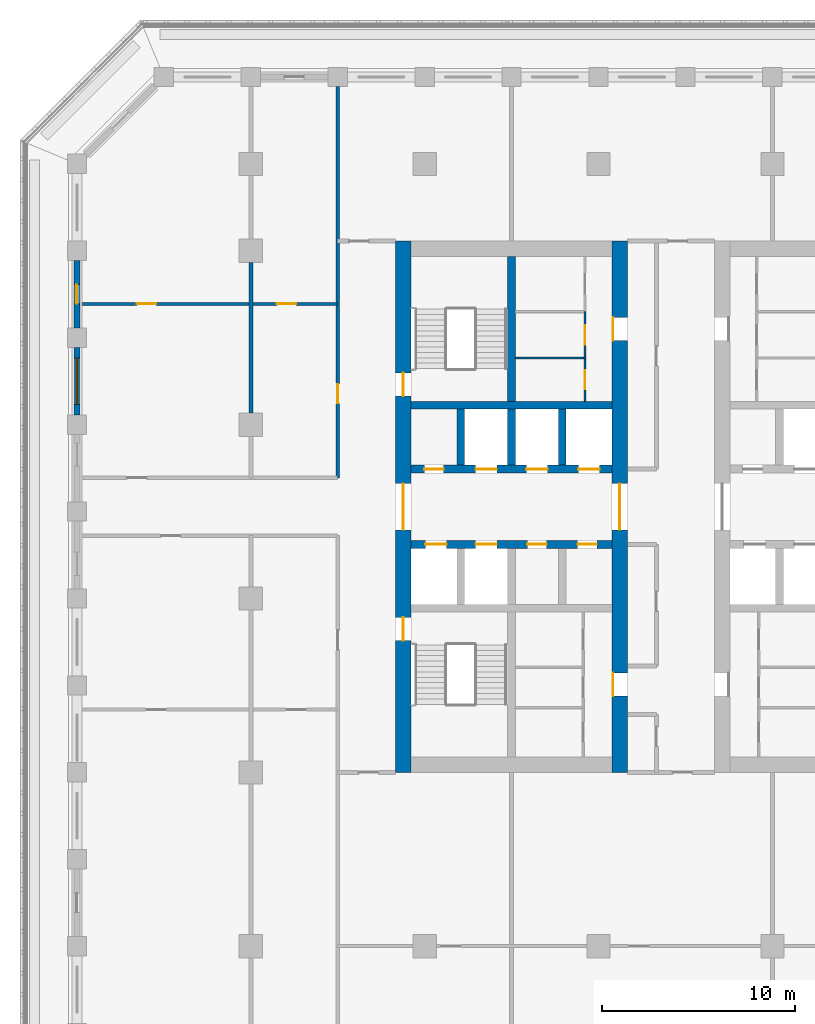
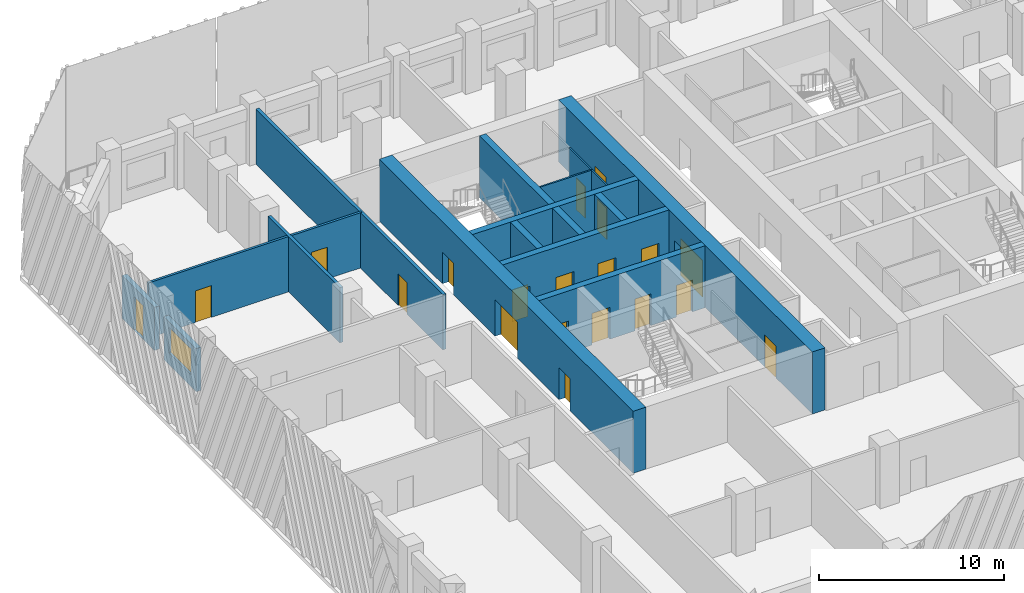
# One storey, part 5 of 16: 20 doors, 17 walls, 1 window, 21 openings.
"""IFC4 building model written with IfcOpenShell, lengths in metres."""

from ifc_helpers import new_model, si_unit, direction, frame, frame_2d, origin, place, context, subcontext, project, spatial, rectangle, extrude, material, layer, layer_set, type_object, element, fill, save


model = new_model("IFC4")

# Units and contexts
model_context = context("Model", 3, precision=1e-05, world=origin(), true_north=direction((0.0, 1.0)))
body_context = subcontext(model_context, "Body", "Model", "MODEL_VIEW")
ifc_project = project(units=[si_unit("LENGTHUNIT", "METRE"), si_unit("AREAUNIT", "SQUARE_METRE"), si_unit("VOLUMEUNIT", "CUBIC_METRE"), si_unit("PLANEANGLEUNIT", "RADIAN"), si_unit("MASSUNIT", "GRAM", prefix="KILO")], contexts=[model_context])

# Site, building, storey
site_placement = place(None, origin())
site = spatial("IfcSite", under=ifc_project, at=site_placement, CompositionType="ELEMENT")
building_placement = place(site_placement, origin())
building = spatial("IfcBuilding", under=site, at=building_placement, Name="Corbel Stack Research Tower", CompositionType="ELEMENT")
storey_placement = place(building_placement, frame((0.0, 0.0, 165.0)))
storey = spatial("IfcBuildingStorey", under=building, at=storey_placement, Name="L37", CompositionType="ELEMENT", Elevation=165.0)

# Wall, openings, doors
ifc_material_1 = material(Name="Concrete C60/75", Category="concrete")
ifc_layer_1 = layer(ifc_material_1, 0.39990234375)
ifc_layer_set_1 = layer_set([ifc_layer_1], Name="Concrete C60/75")
wall_type_1 = type_object("IfcWallType", Name="CW-400-60", PredefinedType="SHEAR", material=ifc_layer_set_1)
wall_1_placement = place(storey_placement, frame((-9.699951171875, 2.800048828125, 0.0), z_axis=(0.0, 0.0, 1.0), x_axis=(1.0, 0.0, 0.0)))
wall_1 = element("IfcWall", 1, at=wall_1_placement, inside=storey, type_object=wall_type_1, Name="West core wall, lobby south L37", PredefinedType="SHEAR", context=body_context, shape_type="SweptSolid", body=[
    extrude(rectangle(XDim=10.39990234375, YDim=0.39990234375, at=frame_2d((5.199951171875, 0.0))), origin(), (0.0, 0.0, 1.0), 4.10009765625),
])
opening_1_placement = place(wall_1_placement, frame((0.737548828125, 0.0, 0.0)))
opening_1 = element("IfcOpeningElement", 2, at=opening_1_placement, cuts=wall_1, Name="Opening LD-FS1", PredefinedType="OPENING", context=body_context, shape_type="SweptSolid", body=[
    extrude(rectangle(XDim=1.10009765625, YDim=2.10009765625, at=frame_2d((0.550048828125, 1.050048828125))), frame((0.0, 0.2099609375, 0.0), z_axis=(0.0, -1.0, 0.0), x_axis=(1.0, 0.0, 0.0)), (0.0, 0.0, 1.0), 0.419921875),
])
opening_2_placement = place(wall_1_placement, frame((3.33740234375, 0.0, 0.0)))
opening_2 = element("IfcOpeningElement", 3, at=opening_2_placement, cuts=wall_1, Name="Opening LD-GL1", PredefinedType="OPENING", context=body_context, shape_type="SweptSolid", body=[
    extrude(rectangle(XDim=1.10009765625, YDim=2.10009765625, at=frame_2d((0.550048828125, 1.050048828125))), frame((0.0, 0.2099609375, 0.0), z_axis=(0.0, -1.0, 0.0), x_axis=(1.0, 0.0, 0.0)), (0.0, 0.0, 1.0), 0.419921875),
])
opening_3_placement = place(wall_1_placement, frame((6.012451171875, 0.0, 0.0)))
opening_3 = element("IfcOpeningElement", 4, at=opening_3_placement, cuts=wall_1, Name="Opening CR-W12-S3", PredefinedType="OPENING", context=body_context, shape_type="SweptSolid", body=[
    extrude(rectangle(XDim=1.0, YDim=2.10009765625, at=frame_2d((0.5, 1.050048828125))), frame((0.0, 0.2099609375, 0.0), z_axis=(0.0, -1.0, 0.0), x_axis=(1.0, 0.0, 0.0)), (0.0, 0.0, 1.0), 0.419921875),
])
opening_4_placement = place(wall_1_placement, frame((8.612548828125, 0.0, 0.0)))
opening_4 = element("IfcOpeningElement", 5, at=opening_4_placement, cuts=wall_1, Name="Opening CR-W12-S4", PredefinedType="OPENING", context=body_context, shape_type="SweptSolid", body=[
    extrude(rectangle(XDim=1.0, YDim=2.10009765625, at=frame_2d((0.5, 1.050048828125))), frame((0.0, 0.2099609375, 0.0), z_axis=(0.0, -1.0, 0.0), x_axis=(1.0, 0.0, 0.0)), (0.0, 0.0, 1.0), 0.419921875),
])
ifc_material_2 = material(Name="Stainless steel landing door", Category="steel")
door_type_1 = type_object("IfcDoorType", Name="Lift landing door 1100 x 2100", OperationType="DOUBLE_DOOR_SLIDING", PredefinedType="DOOR", material=ifc_material_2)
door_1_placement = place(opening_1_placement, origin())
door_1 = element("IfcDoor", 6, at=door_1_placement, inside=storey, type_object=door_type_1, Name="Landing door FS1", OperationType="DOUBLE_DOOR_SLIDING", OverallHeight=2.10009765625, OverallWidth=1.10009765625, PredefinedType="DOOR", context=body_context, shape_type="SweptSolid", body=[
    extrude(rectangle(XDim=1.10009765625, YDim=2.10009765625, at=frame_2d((0.550048828125, 1.050048828125))), frame((0.0, 0.02490234375, 0.0), z_axis=(0.0, -1.0, 0.0), x_axis=(1.0, 0.0, 0.0)), (0.0, 0.0, 1.0), 0.050048828125),
])
fill(opening_1, door_1)
door_2_placement = place(opening_2_placement, origin())
door_2 = element("IfcDoor", 7, at=door_2_placement, inside=storey, type_object=door_type_1, Name="Landing door GL1", OperationType="DOUBLE_DOOR_SLIDING", OverallHeight=2.10009765625, OverallWidth=1.10009765625, PredefinedType="DOOR", context=body_context, shape_type="SweptSolid", body=[
    extrude(rectangle(XDim=1.10009765625, YDim=2.10009765625, at=frame_2d((0.550048828125, 1.050048828125))), frame((0.0, 0.02490234375, 0.0), z_axis=(0.0, -1.0, 0.0), x_axis=(1.0, 0.0, 0.0)), (0.0, 0.0, 1.0), 0.050048828125),
])
fill(opening_2, door_2)
ifc_material_3 = material(Name="Painted steel door", Category="steel")
door_type_2 = type_object("IfcDoorType", Name="Service door 1000 x 2100 FD60 left hand", OperationType="SINGLE_SWING_LEFT", PredefinedType="DOOR", material=ifc_material_3)
door_3_placement = place(opening_3_placement, origin())
door_3 = element("IfcDoor", 8, at=door_3_placement, inside=storey, type_object=door_type_2, Name="Copy and supply store door W core", OperationType="SINGLE_SWING_LEFT", OverallHeight=2.10009765625, OverallWidth=1.0, PredefinedType="DOOR", context=body_context, shape_type="SweptSolid", body=[
    extrude(rectangle(XDim=1.0, YDim=2.10009765625, at=frame_2d((0.5, 1.050048828125))), frame((0.0, 0.02490234375, 0.0), z_axis=(0.0, -1.0, 0.0), x_axis=(1.0, 0.0, 0.0)), (0.0, 0.0, 1.0), 0.050048828125),
])
fill(opening_3, door_3)
ifc_material_4 = material(Name="Painted steel door", Category="steel")
door_type_3 = type_object("IfcDoorType", Name="Service door 1000 x 2100 FD60 right hand", OperationType="SINGLE_SWING_RIGHT", PredefinedType="DOOR", material=ifc_material_4)
door_4_placement = place(opening_4_placement, origin())
door_4 = element("IfcDoor", 9, at=door_4_placement, inside=storey, type_object=door_type_3, Name="Records store door W core", OperationType="SINGLE_SWING_RIGHT", OverallHeight=2.10009765625, OverallWidth=1.0, PredefinedType="DOOR", context=body_context, shape_type="SweptSolid", body=[
    extrude(rectangle(XDim=1.0, YDim=2.10009765625, at=frame_2d((0.5, 1.050048828125))), frame((0.0, 0.02490234375, 0.0), z_axis=(0.0, -1.0, 0.0), x_axis=(1.0, 0.0, 0.0)), (0.0, 0.0, 1.0), 0.050048828125),
])
fill(opening_4, door_4)

wall_2_placement = place(storey_placement, frame((-9.699951171875, 6.699951171875, 0.0), z_axis=(0.0, 0.0, 1.0), x_axis=(1.0, 0.0, 0.0)))
wall_2 = element("IfcWall", 10, at=wall_2_placement, inside=storey, type_object=wall_type_1, Name="West core wall, lobby north L37", PredefinedType="SHEAR", context=body_context, shape_type="SweptSolid", body=[
    extrude(rectangle(XDim=10.39990234375, YDim=0.39990234375, at=frame_2d((5.199951171875, 0.0))), origin(), (0.0, 0.0, 1.0), 4.10009765625),
])
opening_5_placement = place(wall_2_placement, frame((3.33740234375, 0.0, 0.0)))
opening_5 = element("IfcOpeningElement", 11, at=opening_5_placement, cuts=wall_2, Name="Opening LD-HR1", PredefinedType="OPENING", context=body_context, shape_type="SweptSolid", body=[
    extrude(rectangle(XDim=1.10009765625, YDim=2.10009765625, at=frame_2d((0.550048828125, 1.050048828125))), frame((0.0, 0.2099609375, 0.0), z_axis=(0.0, -1.0, 0.0), x_axis=(1.0, 0.0, 0.0)), (0.0, 0.0, 1.0), 0.419921875),
])
opening_6_placement = place(wall_2_placement, frame((5.96240234375, 0.0, 0.0)))
opening_6 = element("IfcOpeningElement", 12, at=opening_6_placement, cuts=wall_2, Name="Opening LD-HR2", PredefinedType="OPENING", context=body_context, shape_type="SweptSolid", body=[
    extrude(rectangle(XDim=1.10009765625, YDim=2.10009765625, at=frame_2d((0.550048828125, 1.050048828125))), frame((0.0, 0.2099609375, 0.0), z_axis=(0.0, -1.0, 0.0), x_axis=(1.0, 0.0, 0.0)), (0.0, 0.0, 1.0), 0.419921875),
])
opening_7_placement = place(wall_2_placement, frame((8.66259765625, 0.0, 0.0)))
opening_7 = element("IfcOpeningElement", 13, at=opening_7_placement, cuts=wall_2, Name="Opening LD-HR3", PredefinedType="OPENING", context=body_context, shape_type="SweptSolid", body=[
    extrude(rectangle(XDim=1.10009765625, YDim=2.10009765625, at=frame_2d((0.550048828125, 1.050048828125))), frame((0.0, 0.2099609375, 0.0), z_axis=(0.0, -1.0, 0.0), x_axis=(1.0, 0.0, 0.0)), (0.0, 0.0, 1.0), 0.419921875),
])
opening_8_placement = place(wall_2_placement, frame((0.6875, 0.0, 0.0)))
opening_8 = element("IfcOpeningElement", 14, at=opening_8_placement, cuts=wall_2, Name="Opening CR-W12-N1", PredefinedType="OPENING", context=body_context, shape_type="SweptSolid", body=[
    extrude(rectangle(XDim=1.0, YDim=2.10009765625, at=frame_2d((0.5, 1.050048828125))), frame((0.0, 0.2099609375, 0.0), z_axis=(0.0, -1.0, 0.0), x_axis=(1.0, 0.0, 0.0)), (0.0, 0.0, 1.0), 0.419921875),
])
door_5_placement = place(opening_5_placement, origin())
door_5 = element("IfcDoor", 15, at=door_5_placement, inside=storey, type_object=door_type_1, Name="Landing door HR1", OperationType="DOUBLE_DOOR_SLIDING", OverallHeight=2.10009765625, OverallWidth=1.10009765625, PredefinedType="DOOR", context=body_context, shape_type="SweptSolid", body=[
    extrude(rectangle(XDim=1.10009765625, YDim=2.10009765625, at=frame_2d((0.550048828125, 1.050048828125))), frame((0.0, 0.02490234375, 0.0), z_axis=(0.0, -1.0, 0.0), x_axis=(1.0, 0.0, 0.0)), (0.0, 0.0, 1.0), 0.050048828125),
])
fill(opening_5, door_5)
door_6_placement = place(opening_6_placement, origin())
door_6 = element("IfcDoor", 16, at=door_6_placement, inside=storey, type_object=door_type_1, Name="Landing door HR2", OperationType="DOUBLE_DOOR_SLIDING", OverallHeight=2.10009765625, OverallWidth=1.10009765625, PredefinedType="DOOR", context=body_context, shape_type="SweptSolid", body=[
    extrude(rectangle(XDim=1.10009765625, YDim=2.10009765625, at=frame_2d((0.550048828125, 1.050048828125))), frame((0.0, 0.02490234375, 0.0), z_axis=(0.0, -1.0, 0.0), x_axis=(1.0, 0.0, 0.0)), (0.0, 0.0, 1.0), 0.050048828125),
])
fill(opening_6, door_6)
door_7_placement = place(opening_7_placement, origin())
door_7 = element("IfcDoor", 17, at=door_7_placement, inside=storey, type_object=door_type_1, Name="Landing door HR3", OperationType="DOUBLE_DOOR_SLIDING", OverallHeight=2.10009765625, OverallWidth=1.10009765625, PredefinedType="DOOR", context=body_context, shape_type="SweptSolid", body=[
    extrude(rectangle(XDim=1.10009765625, YDim=2.10009765625, at=frame_2d((0.550048828125, 1.050048828125))), frame((0.0, 0.02490234375, 0.0), z_axis=(0.0, -1.0, 0.0), x_axis=(1.0, 0.0, 0.0)), (0.0, 0.0, 1.0), 0.050048828125),
])
fill(opening_7, door_7)
door_8_placement = place(opening_8_placement, origin())
door_8 = element("IfcDoor", 18, at=door_8_placement, inside=storey, type_object=door_type_2, Name="Electrical room door W core", OperationType="SINGLE_SWING_LEFT", OverallHeight=2.10009765625, OverallWidth=1.0, PredefinedType="DOOR", context=body_context, shape_type="SweptSolid", body=[
    extrude(rectangle(XDim=1.0, YDim=2.10009765625, at=frame_2d((0.5, 1.050048828125))), frame((0.0, 0.02490234375, 0.0), z_axis=(0.0, -1.0, 0.0), x_axis=(1.0, 0.0, 0.0)), (0.0, 0.0, 1.0), 0.050048828125),
])
fill(opening_8, door_8)

# Walls
wall_3_placement = place(storey_placement, frame((-9.699951171875, 10.0, 0.0), z_axis=(0.0, 0.0, 1.0), x_axis=(1.0, 0.0, 0.0)))
element("IfcWall", 19, at=wall_3_placement, inside=storey, type_object=wall_type_1, Name="West core wall, north row back L37", PredefinedType="SHEAR", context=body_context, shape_type="SweptSolid", body=[
    extrude(rectangle(XDim=10.39990234375, YDim=0.39990234375, at=frame_2d((5.199951171875, 0.0))), origin(), (0.0, 0.0, 1.0), 4.10009765625),
])
for number, where, z_axis, x_axis, name in (
    (20, (-7.125, 6.89990234375, 0.0), (0.0, 0.0, 1.0), (0.0, 1.0, 0.0), "West core wall, north shaft 1 L37"),
    (21, (-4.5, 6.89990234375, 0.0), (0.0, 0.0, 1.0), (0.0, 1.0, 0.0), "West core wall, north shaft 2 L37"),
    (22, (-1.875, 6.89990234375, 0.0), (0.0, 0.0, 1.0), (0.0, 1.0, 0.0), "West core wall, north shaft 3 L37"),
):
    element("IfcWall", number, at=place(storey_placement, frame(where, z_axis=z_axis, x_axis=x_axis)), inside=storey, type_object=wall_type_1, Name=name, PredefinedType="SHEAR", context=body_context, shape_type="SweptSolid", body=[
        extrude(rectangle(XDim=2.900146484375, YDim=0.39990234375, at=frame_2d((1.4501953125, 0.0))), origin(), (0.0, 0.0, 1.0), 4.10009765625),
    ])
wall_4_placement = place(storey_placement, frame((-4.5, 10.199951171875, 0.0), z_axis=(0.0, 0.0, 1.0), x_axis=(0.0, 1.0, 0.0)))
element("IfcWall", 23, at=wall_4_placement, inside=storey, type_object=wall_type_1, Name="West core wall, north stair and riser L37", PredefinedType="SHEAR", context=body_context, shape_type="SweptSolid", body=[
    extrude(rectangle(XDim=7.5, YDim=0.39990234375, at=frame_2d((3.75, 0.0))), origin(), (0.0, 0.0, 1.0), 4.10009765625),
])

# Wall, openings, doors
ifc_material_5 = material(Name="Concrete C60/75", Category="concrete")
ifc_layer_2 = layer(ifc_material_5, 0.800048828125)
ifc_layer_set_2 = layer_set([ifc_layer_2], Name="Concrete C60/75")
wall_type_2 = type_object("IfcWallType", Name="CW-800-60", PredefinedType="SHEAR", material=ifc_layer_set_2)
wall_5_placement = place(storey_placement, frame((-10.10009765625, -9.0, 0.0), z_axis=(0.0, 0.0, 1.0), x_axis=(0.0, 1.0, 0.0)))
wall_5 = element("IfcWall", 24, at=wall_5_placement, inside=storey, type_object=wall_type_2, Name="West core wall, west face L37", PredefinedType="SHEAR", context=body_context, shape_type="SweptSolid", body=[
    extrude(rectangle(XDim=27.5, YDim=0.800048828125, at=frame_2d((13.75, 0.0))), origin(), (0.0, 0.0, 1.0), 4.10009765625),
])
opening_9_placement = place(wall_5_placement, frame((12.550048828125, 0.0, 0.0)))
opening_9 = element("IfcOpeningElement", 25, at=opening_9_placement, cuts=wall_5, Name="Opening CD-W-W", PredefinedType="OPENING", context=body_context, shape_type="SweptSolid", body=[
    extrude(rectangle(XDim=2.39990234375, YDim=2.39990234375, at=frame_2d((1.199951171875, 1.199951171875))), frame((0.0, 0.409912109375, 0.0), z_axis=(0.0, -1.0, 0.0), x_axis=(1.0, 0.0, 0.0)), (0.0, 0.0, 1.0), 0.820068359375),
])
opening_10_placement = place(wall_5_placement, frame((6.824951171875, 0.0, 0.0)))
opening_10 = element("IfcOpeningElement", 26, at=opening_10_placement, cuts=wall_5, Name="Opening SD-ST-W1", PredefinedType="OPENING", context=body_context, shape_type="SweptSolid", body=[
    extrude(rectangle(XDim=1.199951171875, YDim=2.10009765625, at=frame_2d((0.60009765625, 1.050048828125))), frame((0.0, 0.409912109375, 0.0), z_axis=(0.0, -1.0, 0.0), x_axis=(1.0, 0.0, 0.0)), (0.0, 0.0, 1.0), 0.820068359375),
])
opening_11_placement = place(wall_5_placement, frame((19.47509765625, 0.0, 0.0)))
opening_11 = element("IfcOpeningElement", 27, at=opening_11_placement, cuts=wall_5, Name="Opening SD-ST-W2", PredefinedType="OPENING", context=body_context, shape_type="SweptSolid", body=[
    extrude(rectangle(XDim=1.199951171875, YDim=2.10009765625, at=frame_2d((0.60009765625, 1.050048828125))), frame((0.0, 0.409912109375, 0.0), z_axis=(0.0, -1.0, 0.0), x_axis=(1.0, 0.0, 0.0)), (0.0, 0.0, 1.0), 0.820068359375),
])
ifc_material_6 = material(Name="Painted steel fire door", Category="steel")
door_type_4 = type_object("IfcDoorType", Name="Lobby door pair 2400 x 2400 FD30S", OperationType="DOUBLE_DOOR_DOUBLE_SWING", PredefinedType="DOOR", material=ifc_material_6)
door_9_placement = place(opening_9_placement, origin())
door_9 = element("IfcDoor", 28, at=door_9_placement, inside=storey, type_object=door_type_4, Name="Lift lobby door W core W", OperationType="DOUBLE_DOOR_DOUBLE_SWING", OverallHeight=2.39990234375, OverallWidth=2.39990234375, PredefinedType="DOOR", context=body_context, shape_type="SweptSolid", body=[
    extrude(rectangle(XDim=2.39990234375, YDim=2.39990234375, at=frame_2d((1.199951171875, 1.199951171875))), frame((0.0, 0.02490234375, 0.0), z_axis=(0.0, -1.0, 0.0), x_axis=(1.0, 0.0, 0.0)), (0.0, 0.0, 1.0), 0.050048828125),
])
fill(opening_9, door_9)
ifc_material_7 = material(Name="Painted steel fire door", Category="steel")
door_type_5 = type_object("IfcDoorType", Name="Stair door 1200 x 2100 FD90 left hand", OperationType="SINGLE_SWING_LEFT", PredefinedType="DOOR", material=ifc_material_7)
door_10_placement = place(opening_10_placement, origin())
door_10 = element("IfcDoor", 29, at=door_10_placement, inside=storey, type_object=door_type_5, Name="Stair door ST-W1", OperationType="SINGLE_SWING_LEFT", OverallHeight=2.10009765625, OverallWidth=1.199951171875, PredefinedType="DOOR", context=body_context, shape_type="SweptSolid", body=[
    extrude(rectangle(XDim=1.199951171875, YDim=2.10009765625, at=frame_2d((0.60009765625, 1.050048828125))), frame((0.0, 0.02490234375, 0.0), z_axis=(0.0, -1.0, 0.0), x_axis=(1.0, 0.0, 0.0)), (0.0, 0.0, 1.0), 0.050048828125),
])
fill(opening_10, door_10)
door_11_placement = place(opening_11_placement, origin())
door_11 = element("IfcDoor", 30, at=door_11_placement, inside=storey, type_object=door_type_5, Name="Stair door ST-W2", OperationType="SINGLE_SWING_LEFT", OverallHeight=2.10009765625, OverallWidth=1.199951171875, PredefinedType="DOOR", context=body_context, shape_type="SweptSolid", body=[
    extrude(rectangle(XDim=1.199951171875, YDim=2.10009765625, at=frame_2d((0.60009765625, 1.050048828125))), frame((0.0, 0.02490234375, 0.0), z_axis=(0.0, -1.0, 0.0), x_axis=(1.0, 0.0, 0.0)), (0.0, 0.0, 1.0), 0.050048828125),
])
fill(opening_11, door_11)

wall_6_placement = place(storey_placement, frame((1.10009765625, -9.0, 0.0), z_axis=(0.0, 0.0, 1.0), x_axis=(0.0, 1.0, 0.0)))
wall_6 = element("IfcWall", 31, at=wall_6_placement, inside=storey, type_object=wall_type_2, Name="West core wall, east face L37", PredefinedType="SHEAR", context=body_context, shape_type="SweptSolid", body=[
    extrude(rectangle(XDim=27.5, YDim=0.800048828125, at=frame_2d((13.75, 0.0))), origin(), (0.0, 0.0, 1.0), 4.10009765625),
])
opening_12_placement = place(wall_6_placement, frame((12.550048828125, 0.0, 0.0)))
opening_12 = element("IfcOpeningElement", 32, at=opening_12_placement, cuts=wall_6, Name="Opening CD-W-E", PredefinedType="OPENING", context=body_context, shape_type="SweptSolid", body=[
    extrude(rectangle(XDim=2.39990234375, YDim=2.39990234375, at=frame_2d((1.199951171875, 1.199951171875))), frame((0.0, 0.409912109375, 0.0), z_axis=(0.0, -1.0, 0.0), x_axis=(1.0, 0.0, 0.0)), (0.0, 0.0, 1.0), 0.820068359375),
])
opening_13_placement = place(wall_6_placement, frame((3.949951171875, 0.0, 0.0)))
opening_13 = element("IfcOpeningElement", 33, at=opening_13_placement, cuts=wall_6, Name="Opening CR-W12-W1-1200", PredefinedType="OPENING", context=body_context, shape_type="SweptSolid", body=[
    extrude(rectangle(XDim=1.199951171875, YDim=2.10009765625, at=frame_2d((0.60009765625, 1.050048828125))), frame((0.0, 0.409912109375, 0.0), z_axis=(0.0, -1.0, 0.0), x_axis=(1.0, 0.0, 0.0)), (0.0, 0.0, 1.0), 0.820068359375),
])
opening_14_placement = place(wall_6_placement, frame((22.35009765625, 0.0, 0.0)))
opening_14 = element("IfcOpeningElement", 34, at=opening_14_placement, cuts=wall_6, Name="Opening CR-W12-R1-1200", PredefinedType="OPENING", context=body_context, shape_type="SweptSolid", body=[
    extrude(rectangle(XDim=1.199951171875, YDim=2.10009765625, at=frame_2d((0.60009765625, 1.050048828125))), frame((0.0, 0.409912109375, 0.0), z_axis=(0.0, -1.0, 0.0), x_axis=(1.0, 0.0, 0.0)), (0.0, 0.0, 1.0), 0.820068359375),
])
door_12_placement = place(opening_12_placement, origin())
door_12 = element("IfcDoor", 35, at=door_12_placement, inside=storey, type_object=door_type_4, Name="Lift lobby door W core E", OperationType="DOUBLE_DOOR_DOUBLE_SWING", OverallHeight=2.39990234375, OverallWidth=2.39990234375, PredefinedType="DOOR", context=body_context, shape_type="SweptSolid", body=[
    extrude(rectangle(XDim=2.39990234375, YDim=2.39990234375, at=frame_2d((1.199951171875, 1.199951171875))), frame((0.0, 0.02490234375, 0.0), z_axis=(0.0, -1.0, 0.0), x_axis=(1.0, 0.0, 0.0)), (0.0, 0.0, 1.0), 0.050048828125),
])
fill(opening_12, door_12)
ifc_material_8 = material(Name="Painted steel door", Category="steel")
door_type_6 = type_object("IfcDoorType", Name="Service door 1200 x 2100 FD30 left hand", OperationType="SINGLE_SWING_LEFT", PredefinedType="DOOR", material=ifc_material_8)
door_13_placement = place(opening_14_placement, origin())
door_13 = element("IfcDoor", 36, at=door_13_placement, inside=storey, type_object=door_type_6, Name="Service passage door W core", OperationType="SINGLE_SWING_LEFT", OverallHeight=2.10009765625, OverallWidth=1.199951171875, PredefinedType="DOOR", context=body_context, shape_type="SweptSolid", body=[
    extrude(rectangle(XDim=1.199951171875, YDim=2.10009765625, at=frame_2d((0.60009765625, 1.050048828125))), frame((0.0, 0.375, 0.0), z_axis=(0.0, -1.0, 0.0), x_axis=(1.0, 0.0, 0.0)), (0.0, 0.0, 1.0), 0.050048828125),
])
fill(opening_14, door_13)
ifc_material_9 = material(Name="Painted timber door", Category="wood")
door_type_7 = type_object("IfcDoorType", Name="WC door 1200 x 2100 left hand", OperationType="SINGLE_SWING_LEFT", PredefinedType="DOOR", material=ifc_material_9)
door_14_placement = place(opening_13_placement, origin())
door_14 = element("IfcDoor", 37, at=door_14_placement, inside=storey, type_object=door_type_7, Name="WC lobby door W core", OperationType="SINGLE_SWING_LEFT", OverallHeight=2.10009765625, OverallWidth=1.199951171875, PredefinedType="DOOR", context=body_context, shape_type="SweptSolid", body=[
    extrude(rectangle(XDim=1.199951171875, YDim=2.10009765625, at=frame_2d((0.60009765625, 1.050048828125))), frame((0.0, 0.375, 0.0), z_axis=(0.0, -1.0, 0.0), x_axis=(1.0, 0.0, 0.0)), (0.0, 0.0, 1.0), 0.050048828125),
])
fill(opening_13, door_14)

# Wall, opening, door
ifc_material_10 = material(Name="Gypsum board")
ifc_layer_3 = layer(ifc_material_10, 0.10009765625)
ifc_layer_set_3 = layer_set([ifc_layer_3], Name="Gypsum board")
wall_type_3 = type_object("IfcWallType", Name="Core partition 100", PredefinedType="PARTITIONING", material=ifc_layer_set_3)
wall_7_placement = place(storey_placement, frame((-0.699951171875, 10.199951171875, 0.0), z_axis=(0.0, 0.0, 1.0), x_axis=(0.0, 1.0, 0.0)))
wall_7 = element("IfcWall", 38, at=wall_7_placement, inside=storey, type_object=wall_type_3, Name="Core partition W", PredefinedType="PARTITIONING", context=body_context, shape_type="SweptSolid", body=[
    extrude(rectangle(XDim=2.25, YDim=0.10009765625, at=frame_2d((1.125, 0.0))), origin(), (0.0, 0.0, 1.0), 3.64990234375),
])
opening_15_placement = place(wall_7_placement, frame((0.625, 0.0, 0.0)))
opening_15 = element("IfcOpeningElement", 39, at=opening_15_placement, cuts=wall_7, Name="Opening CR-W12-R2-1000", PredefinedType="OPENING", context=body_context, shape_type="SweptSolid", body=[
    extrude(rectangle(XDim=1.0, YDim=2.10009765625, at=frame_2d((0.5, 1.050048828125))), frame((0.0, 0.06005859375, 0.0), z_axis=(0.0, -1.0, 0.0), x_axis=(1.0, 0.0, 0.0)), (0.0, 0.0, 1.0), 0.1201171875),
])
ifc_material_11 = material(Name="Painted steel door", Category="steel")
door_type_8 = type_object("IfcDoorType", Name="Riser door 1000 x 2100 FD60 right hand", OperationType="SINGLE_SWING_RIGHT", PredefinedType="DOOR", material=ifc_material_11)
door_15_placement = place(opening_15_placement, origin())
door_15 = element("IfcDoor", 40, at=door_15_placement, inside=storey, type_object=door_type_8, Name="Mechanical riser door W core", OperationType="SINGLE_SWING_RIGHT", OverallHeight=2.10009765625, OverallWidth=1.0, PredefinedType="DOOR", context=body_context, shape_type="SweptSolid", body=[
    extrude(rectangle(XDim=1.0, YDim=2.10009765625, at=frame_2d((0.5, 1.050048828125))), frame((0.0, 0.02490234375, 0.0), z_axis=(0.0, -1.0, 0.0), x_axis=(1.0, 0.0, 0.0)), (0.0, 0.0, 1.0), 0.050048828125),
])
fill(opening_15, door_15)

wall_8_placement = place(storey_placement, frame((-0.699951171875, 12.449951171875, 0.0), z_axis=(0.0, 0.0, 1.0), x_axis=(0.0, 1.0, 0.0)))
wall_8 = element("IfcWall", 41, at=wall_8_placement, inside=storey, type_object=wall_type_3, Name="Core partition W", PredefinedType="PARTITIONING", context=body_context, shape_type="SweptSolid", body=[
    extrude(rectangle(XDim=2.400146484375, YDim=0.10009765625, at=frame_2d((1.2001953125, 0.0))), origin(), (0.0, 0.0, 1.0), 3.64990234375),
])
opening_16_placement = place(wall_8_placement, frame((0.699951171875, 0.0, 0.0)))
opening_16 = element("IfcOpeningElement", 42, at=opening_16_placement, cuts=wall_8, Name="Opening CR-W12-R3-1000", PredefinedType="OPENING", context=body_context, shape_type="SweptSolid", body=[
    extrude(rectangle(XDim=1.0, YDim=2.10009765625, at=frame_2d((0.5, 1.050048828125))), frame((0.0, 0.06005859375, 0.0), z_axis=(0.0, -1.0, 0.0), x_axis=(1.0, 0.0, 0.0)), (0.0, 0.0, 1.0), 0.1201171875),
])
ifc_material_12 = material(Name="Painted steel door", Category="steel")
door_type_9 = type_object("IfcDoorType", Name="Service door 1000 x 2100 FD30 left hand", OperationType="SINGLE_SWING_LEFT", PredefinedType="DOOR", material=ifc_material_12)
door_16_placement = place(opening_16_placement, origin())
door_16 = element("IfcDoor", 43, at=door_16_placement, inside=storey, type_object=door_type_9, Name="Pantry door W core", OperationType="SINGLE_SWING_LEFT", OverallHeight=2.10009765625, OverallWidth=1.0, PredefinedType="DOOR", context=body_context, shape_type="SweptSolid", body=[
    extrude(rectangle(XDim=1.0, YDim=2.10009765625, at=frame_2d((0.5, 1.050048828125))), frame((0.0, 0.02490234375, 0.0), z_axis=(0.0, -1.0, 0.0), x_axis=(1.0, 0.0, 0.0)), (0.0, 0.0, 1.0), 0.050048828125),
])
fill(opening_16, door_16)

# Walls
wall_9_placement = place(storey_placement, frame((-4.300048828125, 12.449951171875, 0.0), z_axis=(0.0, 0.0, 1.0), x_axis=(1.0, 0.0, 0.0)))
element("IfcWall", 44, at=wall_9_placement, inside=storey, type_object=wall_type_3, Name="Core partition W", PredefinedType="PARTITIONING", context=body_context, shape_type="SweptSolid", body=[
    extrude(rectangle(XDim=3.60009765625, YDim=0.10009765625, at=frame_2d((1.800048828125, 0.0))), origin(), (0.0, 0.0, 1.0), 3.64990234375),
])
ifc_material_13 = material(Name="Fire-rated gypsum board partition on steel studs", Category="steel")
ifc_layer_4 = layer(ifc_material_13, 0.199951171875)
ifc_layer_set_4 = layer_set([ifc_layer_4], Name="Fire-rated gypsum board partition on steel studs")
wall_type_4 = type_object("IfcWallType", Name="Fire-rated partition 200 EI 60", PredefinedType="PARTITIONING", material=ifc_layer_set_4)
wall_10_placement = place(storey_placement, frame((-18.0, 9.60009765625, 0.0), z_axis=(0.0, 0.0, 1.0), x_axis=(0.0, 1.0, 0.0)))
element("IfcWall", 45, at=wall_10_placement, inside=storey, type_object=wall_type_4, Name="Partition L37-006", PredefinedType="PARTITIONING", context=body_context, shape_type="SweptSolid", body=[
    extrude(rectangle(XDim=7.7998046875, YDim=0.199951171875, at=frame_2d((3.89990234375, 0.0))), origin(), (0.0, 0.0, 1.0), 3.64990234375),
])

# Wall, opening, door
wall_11_placement = place(storey_placement, frame((-13.5, 6.25, 0.0), z_axis=(0.0, 0.0, 1.0), x_axis=(0.0, 1.0, 0.0)))
wall_11 = element("IfcWall", 46, at=wall_11_placement, inside=storey, type_object=wall_type_4, Name="Partition L37-010", PredefinedType="PARTITIONING", context=body_context, shape_type="SweptSolid", body=[
    extrude(rectangle(XDim=20.25, YDim=0.199951171875, at=frame_2d((10.125, 0.0))), origin(), (0.0, 0.0, 1.0), 3.64990234375),
])
opening_17_placement = place(wall_11_placement, frame((3.85009765625, 0.0, 0.0)))
opening_17 = element("IfcOpeningElement", 47, at=opening_17_placement, cuts=wall_11, Name="Opening B5V1-005", PredefinedType="OPENING", context=body_context, shape_type="SweptSolid", body=[
    extrude(rectangle(XDim=1.0, YDim=2.10009765625, at=frame_2d((0.5, 1.050048828125))), frame((0.0, 0.10986328125, 0.0), z_axis=(0.0, -1.0, 0.0), x_axis=(1.0, 0.0, 0.0)), (0.0, 0.0, 1.0), 0.219970703125),
])
ifc_material_14 = material(Name="Painted steel fire door", Category="steel")
door_type_10 = type_object("IfcDoorType", Name="Fire door FD30S 1000 x 2100", OperationType="NOTDEFINED", PredefinedType="DOOR", material=ifc_material_14)
door_17_placement = place(opening_17_placement, origin())
door_17 = element("IfcDoor", 48, at=door_17_placement, inside=storey, type_object=door_type_10, Name="Door B5V1-005", OperationType="SINGLE_SWING_LEFT", OverallHeight=2.10009765625, OverallWidth=1.0, PredefinedType="DOOR", context=body_context, shape_type="SweptSolid", body=[
    extrude(rectangle(XDim=1.0, YDim=2.10009765625, at=frame_2d((0.5, 1.050048828125))), frame((0.0, 0.02490234375, 0.0), z_axis=(0.0, -1.0, 0.0), x_axis=(1.0, 0.0, 0.0)), (0.0, 0.0, 1.0), 0.050048828125),
])
fill(opening_17, door_17)

# Wall, openings, doors
ifc_material_15 = material(Name="Gypsum board partition on steel studs", Category="steel")
ifc_layer_5 = layer(ifc_material_15, 0.14990234375)
ifc_layer_set_5 = layer_set([ifc_layer_5], Name="Gypsum board partition on steel studs")
wall_type_5 = type_object("IfcWallType", Name="Partition 150", PredefinedType="PARTITIONING", material=ifc_layer_set_5)
wall_12_placement = place(storey_placement, frame((-26.85009765625, 15.25, 0.0), z_axis=(0.0, 0.0, 1.0), x_axis=(1.0, 0.0, 0.0)))
wall_12 = element("IfcWall", 49, at=wall_12_placement, inside=storey, type_object=wall_type_5, Name="Partition L37-040", PredefinedType="PARTITIONING", context=body_context, shape_type="SweptSolid", body=[
    extrude(rectangle(XDim=13.35009765625, YDim=0.14990234375, at=frame_2d((6.675048828125, 0.0))), origin(), (0.0, 0.0, 1.0), 3.64990234375),
])
opening_18_placement = place(wall_12_placement, frame((2.949951171875, 0.0, 0.0)))
opening_18 = element("IfcOpeningElement", 50, at=opening_18_placement, cuts=wall_12, Name="Opening B5V1-017", PredefinedType="OPENING", context=body_context, shape_type="SweptSolid", body=[
    extrude(rectangle(XDim=1.0, YDim=2.10009765625, at=frame_2d((0.5, 1.050048828125))), frame((0.0, 0.0849609375, 0.0), z_axis=(0.0, -1.0, 0.0), x_axis=(1.0, 0.0, 0.0)), (0.0, 0.0, 1.0), 0.169921875),
])
opening_19_placement = place(wall_12_placement, frame((10.199951171875, 0.0, 0.0)))
opening_19 = element("IfcOpeningElement", 51, at=opening_19_placement, cuts=wall_12, Name="Opening B5V1-018", PredefinedType="OPENING", context=body_context, shape_type="SweptSolid", body=[
    extrude(rectangle(XDim=1.0, YDim=2.10009765625, at=frame_2d((0.5, 1.050048828125))), frame((0.0, 0.0849609375, 0.0), z_axis=(0.0, -1.0, 0.0), x_axis=(1.0, 0.0, 0.0)), (0.0, 0.0, 1.0), 0.169921875),
])
ifc_material_16 = material(Name="Painted timber door", Category="wood")
door_type_11 = type_object("IfcDoorType", Name="Single door 1000 x 2100", OperationType="NOTDEFINED", PredefinedType="DOOR", material=ifc_material_16)
door_18_placement = place(opening_18_placement, origin())
door_18 = element("IfcDoor", 52, at=door_18_placement, inside=storey, type_object=door_type_11, Name="Door B5V1-017", OperationType="SINGLE_SWING_LEFT", OverallHeight=2.10009765625, OverallWidth=1.0, PredefinedType="DOOR", context=body_context, shape_type="SweptSolid", body=[
    extrude(rectangle(XDim=1.0, YDim=2.10009765625, at=frame_2d((0.5, 1.050048828125))), frame((0.0, 0.02490234375, 0.0), z_axis=(0.0, -1.0, 0.0), x_axis=(1.0, 0.0, 0.0)), (0.0, 0.0, 1.0), 0.050048828125),
])
fill(opening_18, door_18)
door_19_placement = place(opening_19_placement, origin())
door_19 = element("IfcDoor", 53, at=door_19_placement, inside=storey, type_object=door_type_11, Name="Door B5V1-018", OperationType="SINGLE_SWING_RIGHT", OverallHeight=2.10009765625, OverallWidth=1.0, PredefinedType="DOOR", context=body_context, shape_type="SweptSolid", body=[
    extrude(rectangle(XDim=1.0, YDim=2.10009765625, at=frame_2d((0.5, 1.050048828125))), frame((0.0, 0.02490234375, 0.0), z_axis=(0.0, -1.0, 0.0), x_axis=(1.0, 0.0, 0.0)), (0.0, 0.0, 1.0), 0.050048828125),
])
fill(opening_19, door_19)

# Wall, opening, door
ifc_material_17 = material(Name="Concrete C45/55", Category="concrete")
ifc_layer_6 = layer(ifc_material_17, 0.300048828125)
ifc_layer_set_6 = layer_set([ifc_layer_6], Name="Concrete C45/55")
wall_type_6 = type_object("IfcWallType", Name="Terracotta-faced concrete wall 300", PredefinedType="SOLIDWALL", material=ifc_layer_set_6)
wall_13_placement = place(storey_placement, frame((-27.0, 14.0, 0.0), z_axis=(0.0, 0.0, 1.0), x_axis=(0.0, 1.0, 0.0)))
wall_13 = element("IfcWall", 54, at=wall_13_placement, inside=storey, type_object=wall_type_6, Name="Facade wall L37 W02", PredefinedType="SOLIDWALL", context=body_context, shape_type="SweptSolid", body=[
    extrude(rectangle(XDim=3.5, YDim=0.300048828125, at=frame_2d((1.75, 0.0))), origin(), (0.0, 0.0, 1.0), 2.85009765625),
])
opening_20_placement = place(wall_13_placement, frame((1.25, 0.0, 0.0)))
opening_20 = element("IfcOpeningElement", 55, at=opening_20_placement, cuts=wall_13, Name="Opening L37-B10", PredefinedType="OPENING", context=body_context, shape_type="SweptSolid", body=[
    extrude(rectangle(XDim=1.0, YDim=2.199951171875, at=frame_2d((0.5, 1.10009765625))), frame((0.0, 0.159912109375, 0.0), z_axis=(0.0, -1.0, 0.0), x_axis=(1.0, 0.0, 0.0)), (0.0, 0.0, 1.0), 0.320068359375),
])
ifc_material_18 = material(Name="Aluminium frame, clear double glazing", Category="aluminium")
door_type_12 = type_object("IfcDoorType", Name="Balcony door BD1 1000 x 2200", OperationType="NOTDEFINED", PredefinedType="DOOR", material=ifc_material_18)
door_20_placement = place(opening_20_placement, origin())
door_20 = element("IfcDoor", 56, at=door_20_placement, inside=storey, type_object=door_type_12, Name="Balcony door L37-B10", OperationType="SINGLE_SWING_LEFT", OverallHeight=2.199951171875, OverallWidth=1.0, PredefinedType="DOOR", context=body_context, shape_type="SweptSolid", body=[
    extrude(rectangle(XDim=1.0, YDim=2.199951171875, at=frame_2d((0.5, 1.10009765625))), frame((0.0, 0.02490234375, 0.0), z_axis=(0.0, -1.0, 0.0), x_axis=(1.0, 0.0, 0.0)), (0.0, 0.0, 1.0), 0.050048828125),
])
fill(opening_20, door_20)

# Wall, opening, window
wall_14_placement = place(storey_placement, frame((-27.0, 9.5, 0.0), z_axis=(0.0, 0.0, 1.0), x_axis=(0.0, 1.0, 0.0)))
wall_14 = element("IfcWall", 57, at=wall_14_placement, inside=storey, type_object=wall_type_6, Name="Facade wall L37 W03", PredefinedType="SOLIDWALL", context=body_context, shape_type="SweptSolid", body=[
    extrude(rectangle(XDim=3.5, YDim=0.300048828125, at=frame_2d((1.75, 0.0))), origin(), (0.0, 0.0, 1.0), 2.85009765625),
])
opening_21_placement = place(wall_14_placement, frame((0.550048828125, 0.0, 0.800048828125)))
opening_21 = element("IfcOpeningElement", 58, at=opening_21_placement, cuts=wall_14, Name="Opening W1", PredefinedType="OPENING", context=body_context, shape_type="SweptSolid", body=[
    extrude(rectangle(XDim=2.39990234375, YDim=1.699951171875, at=frame_2d((1.199951171875, 0.85009765625))), frame((0.0, 0.159912109375, 0.0), z_axis=(0.0, -1.0, 0.0), x_axis=(1.0, 0.0, 0.0)), (0.0, 0.0, 1.0), 0.320068359375),
])
ifc_material_19 = material(Name="Aluminium frame, clear double glazing", Category="aluminium")
window_type = type_object("IfcWindowType", Name="Window W1 2400 x 1700", PartitioningType="SINGLE_PANEL", PredefinedType="WINDOW", material=ifc_material_19)
window_placement = place(opening_21_placement, origin())
window = element("IfcWindow", 59, at=window_placement, inside=storey, type_object=window_type, Name="Window W1 L37 W03", OverallHeight=1.699951171875, OverallWidth=2.39990234375, PartitioningType="SINGLE_PANEL", PredefinedType="WINDOW", context=body_context, shape_type="SweptSolid", body=[
    extrude(rectangle(XDim=2.39990234375, YDim=1.699951171875, at=frame_2d((1.199951171875, 0.85009765625))), frame((0.0, 0.030029296875, 0.0), z_axis=(0.0, -1.0, 0.0), x_axis=(1.0, 0.0, 0.0)), (0.0, 0.0, 1.0), 0.06005859375),
])
fill(opening_21, window)

save(model, "model.ifc")
